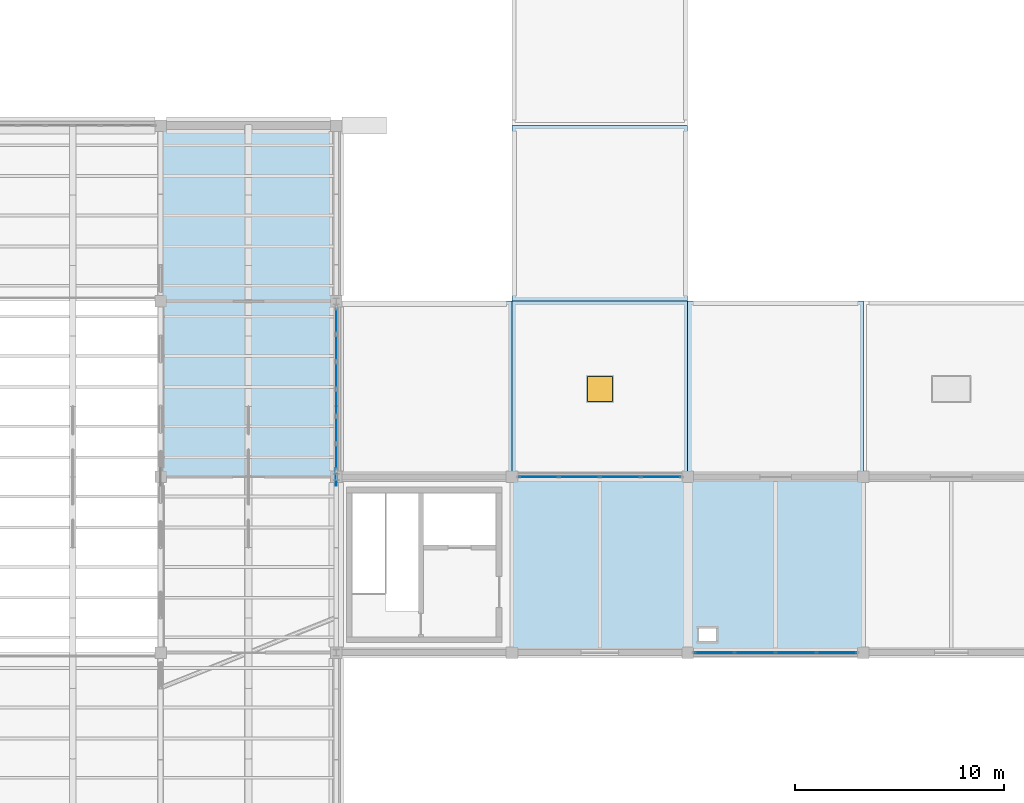
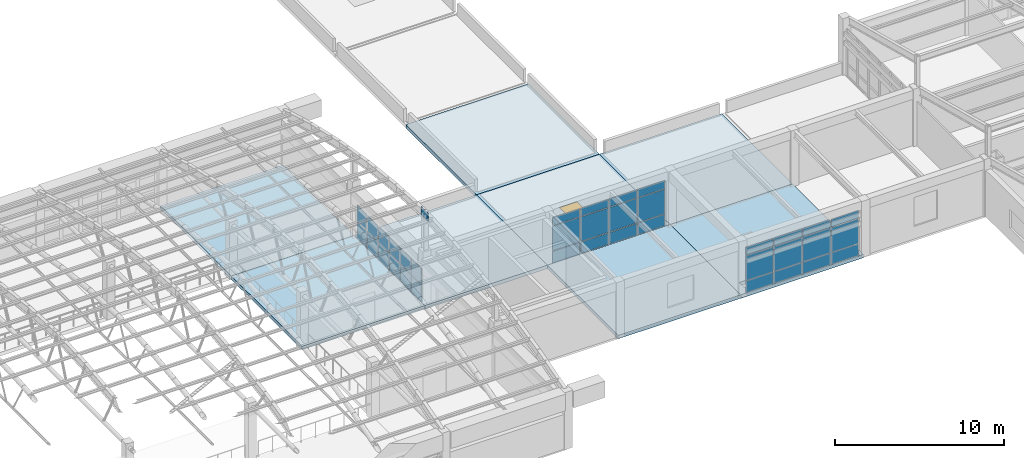
# One storey, part 50 of 74: 37 plates, 8 slabs, 1 window, 1 opening, 3 elements without a shape of their own.
"""IFC4 building model written with IfcOpenShell, lengths in metres."""

from ifc_helpers import new_model, si_unit, direction, frame, origin, origin_2d, place, context, subcontext, project, spatial, polyline, rectangle, outline, extrude, material, layer, layer_set, type_object, element, fill, aggregate, save


model = new_model("IFC4")

# Units and contexts
model_context = context("Model", 3, precision=1e-05, world=origin(), true_north=direction((0.0, 1.0)))
body_context = subcontext(model_context, "Body", "Model", "MODEL_VIEW")
ifc_project = project(units=[si_unit("LENGTHUNIT", "METRE"), si_unit("AREAUNIT", "SQUARE_METRE"), si_unit("VOLUMEUNIT", "CUBIC_METRE"), si_unit("PLANEANGLEUNIT", "RADIAN"), si_unit("MASSUNIT", "GRAM", prefix="KILO")], contexts=[model_context])

# Site, building, storey
site_placement = place(None, origin())
site = spatial("IfcSite", under=ifc_project, at=site_placement, CompositionType="ELEMENT")
building_placement = place(site_placement, origin())
building = spatial("IfcBuilding", under=site, at=building_placement, Name="Porcellanite Civic Hall", CompositionType="ELEMENT")
storey_placement = place(building_placement, frame((0.0, 0.0, 14.760009765625)))
storey = spatial("IfcBuildingStorey", under=building, at=storey_placement, Name="L03", CompositionType="ELEMENT", Elevation=14.760009765625)

# Curtain wall, plates
ifc_material_1 = material(Name="Anodised aluminium and solar laminated glass", Category="aluminium")
ifc_layer_1 = layer(ifc_material_1, 0.179931640625)
ifc_layer_set_1 = layer_set([ifc_layer_1], Name="Anodised aluminium and solar laminated glass")
curtain_wall_type_1 = type_object("IfcCurtainWallType", Name="CW-SYS01", PredefinedType="NOTDEFINED", material=ifc_layer_set_1)
curtain_wall_1_placement = place(storey_placement, origin())
curtain_wall_1 = element("IfcCurtainWall", 1, at=curtain_wall_1_placement, inside=storey, type_object=curtain_wall_type_1, Name="Curtain wall CW-213", PredefinedType="NOTDEFINED")
ifc_material_2 = material(Name="Cyclone laminated solar-control low-E glass", Category="glass")
ifc_layer_2 = layer(ifc_material_2, 0.02392578125)
ifc_layer_set_2 = layer_set([ifc_layer_2], Name="Cyclone laminated solar-control low-E glass")
plate_type_1 = type_object("IfcPlateType", Name="CWP-01", PredefinedType="CURTAIN_PANEL", material=ifc_layer_set_2)
plate_1_placement = place(storey_placement, frame((109.199951171875, 66.25, 0.06982421875), z_axis=(0.0, 0.0, 1.0), x_axis=(0.0, -1.0, 0.0)))
plate_1 = element("IfcPlate", 2, at=plate_1_placement, type_object=plate_type_1, Name="CW-213 panel 1.1", PredefinedType="CURTAIN_PANEL", context=body_context, shape_type="SweptSolid", body=[
    extrude(rectangle(XDim=1.18798828125, YDim=0.02392578125, at=origin_2d()), origin(), (0.0, 0.0, 1.0), 1.155029296875),
])
plate_2_placement = place(storey_placement, frame((109.199951171875, 66.25, 1.294921875), z_axis=(0.0, 0.0, 1.0), x_axis=(0.0, -1.0, 0.0)))
plate_2 = element("IfcPlate", 3, at=plate_2_placement, type_object=plate_type_1, Name="CW-213 panel 1.2", PredefinedType="CURTAIN_PANEL", context=body_context, shape_type="SweptSolid", body=[
    extrude(rectangle(XDim=1.18798828125, YDim=0.02392578125, at=origin_2d()), origin(), (0.0, 0.0, 1.0), 1.155029296875),
])
plate_3_placement = place(storey_placement, frame((109.199951171875, 64.9619140625, 0.06982421875), z_axis=(0.0, 0.0, 1.0), x_axis=(0.0, -1.0, 0.0)))
plate_3 = element("IfcPlate", 4, at=plate_3_placement, type_object=plate_type_1, Name="CW-213 panel 2.1", PredefinedType="CURTAIN_PANEL", context=body_context, shape_type="SweptSolid", body=[
    extrude(rectangle(XDim=1.22802734375, YDim=0.02392578125, at=origin_2d()), origin(), (0.0, 0.0, 1.0), 1.155029296875),
])
plate_4_placement = place(storey_placement, frame((109.199951171875, 64.9619140625, 1.294921875), z_axis=(0.0, 0.0, 1.0), x_axis=(0.0, -1.0, 0.0)))
plate_4 = element("IfcPlate", 5, at=plate_4_placement, type_object=plate_type_1, Name="CW-213 panel 2.2", PredefinedType="CURTAIN_PANEL", context=body_context, shape_type="SweptSolid", body=[
    extrude(rectangle(XDim=1.22802734375, YDim=0.02392578125, at=origin_2d()), origin(), (0.0, 0.0, 1.0), 1.155029296875),
])
plate_5_placement = place(storey_placement, frame((109.199951171875, 63.654052734375, 0.06982421875), z_axis=(0.0, 0.0, 1.0), x_axis=(0.0, -1.0, 0.0)))
plate_5 = element("IfcPlate", 6, at=plate_5_placement, type_object=plate_type_1, Name="CW-213 panel 3.1", PredefinedType="CURTAIN_PANEL", context=body_context, shape_type="SweptSolid", body=[
    extrude(rectangle(XDim=1.22802734375, YDim=0.02392578125, at=origin_2d()), origin(), (0.0, 0.0, 1.0), 1.155029296875),
])
plate_6_placement = place(storey_placement, frame((109.199951171875, 63.654052734375, 1.294921875), z_axis=(0.0, 0.0, 1.0), x_axis=(0.0, -1.0, 0.0)))
plate_6 = element("IfcPlate", 7, at=plate_6_placement, type_object=plate_type_1, Name="CW-213 panel 3.2", PredefinedType="CURTAIN_PANEL", context=body_context, shape_type="SweptSolid", body=[
    extrude(rectangle(XDim=1.22802734375, YDim=0.02392578125, at=origin_2d()), origin(), (0.0, 0.0, 1.0), 1.155029296875),
])
plate_7_placement = place(storey_placement, frame((109.199951171875, 62.345947265625, 0.06982421875), z_axis=(0.0, 0.0, 1.0), x_axis=(0.0, -1.0, 0.0)))
plate_7 = element("IfcPlate", 8, at=plate_7_placement, type_object=plate_type_1, Name="CW-213 panel 4.1", PredefinedType="CURTAIN_PANEL", context=body_context, shape_type="SweptSolid", body=[
    extrude(rectangle(XDim=1.22802734375, YDim=0.02392578125, at=origin_2d()), origin(), (0.0, 0.0, 1.0), 1.155029296875),
])
plate_8_placement = place(storey_placement, frame((109.199951171875, 62.345947265625, 1.294921875), z_axis=(0.0, 0.0, 1.0), x_axis=(0.0, -1.0, 0.0)))
plate_8 = element("IfcPlate", 9, at=plate_8_placement, type_object=plate_type_1, Name="CW-213 panel 4.2", PredefinedType="CURTAIN_PANEL", context=body_context, shape_type="SweptSolid", body=[
    extrude(rectangle(XDim=1.22802734375, YDim=0.02392578125, at=origin_2d()), origin(), (0.0, 0.0, 1.0), 1.155029296875),
])
plate_9_placement = place(storey_placement, frame((109.199951171875, 61.0380859375, 0.06982421875), z_axis=(0.0, 0.0, 1.0), x_axis=(0.0, -1.0, 0.0)))
plate_9 = element("IfcPlate", 10, at=plate_9_placement, type_object=plate_type_1, Name="CW-213 panel 5.1", PredefinedType="CURTAIN_PANEL", context=body_context, shape_type="SweptSolid", body=[
    extrude(rectangle(XDim=1.22802734375, YDim=0.02392578125, at=origin_2d()), origin(), (0.0, 0.0, 1.0), 1.155029296875),
])
plate_10_placement = place(storey_placement, frame((109.199951171875, 61.0380859375, 1.294921875), z_axis=(0.0, 0.0, 1.0), x_axis=(0.0, -1.0, 0.0)))
plate_10 = element("IfcPlate", 11, at=plate_10_placement, type_object=plate_type_1, Name="CW-213 panel 5.2", PredefinedType="CURTAIN_PANEL", context=body_context, shape_type="SweptSolid", body=[
    extrude(rectangle(XDim=1.22802734375, YDim=0.02392578125, at=origin_2d()), origin(), (0.0, 0.0, 1.0), 1.155029296875),
])
plate_11_placement = place(storey_placement, frame((109.199951171875, 59.75, 0.06982421875), z_axis=(0.0, 0.0, 1.0), x_axis=(0.0, -1.0, 0.0)))
plate_11 = element("IfcPlate", 12, at=plate_11_placement, type_object=plate_type_1, Name="CW-213 panel 6.1", PredefinedType="CURTAIN_PANEL", context=body_context, shape_type="SweptSolid", body=[
    extrude(rectangle(XDim=1.18798828125, YDim=0.02392578125, at=origin_2d()), origin(), (0.0, 0.0, 1.0), 1.155029296875),
])
plate_12_placement = place(storey_placement, frame((109.199951171875, 59.75, 1.294921875), z_axis=(0.0, 0.0, 1.0), x_axis=(0.0, -1.0, 0.0)))
plate_12 = element("IfcPlate", 13, at=plate_12_placement, type_object=plate_type_1, Name="CW-213 panel 6.2", PredefinedType="CURTAIN_PANEL", context=body_context, shape_type="SweptSolid", body=[
    extrude(rectangle(XDim=1.18798828125, YDim=0.02392578125, at=origin_2d()), origin(), (0.0, 0.0, 1.0), 1.155029296875),
])
aggregate(curtain_wall_1, [plate_1, plate_2, plate_3, plate_4, plate_5, plate_6, plate_7, plate_8, plate_9, plate_10, plate_11, plate_12])

ifc_material_3 = material(Name="Anodised aluminium and solar laminated glass", Category="aluminium")
ifc_layer_3 = layer(ifc_material_3, 0.179931640625)
ifc_layer_set_3 = layer_set([ifc_layer_3], Name="Anodised aluminium and solar laminated glass")
curtain_wall_type_2 = type_object("IfcCurtainWallType", Name="CW-SYS04", PredefinedType="NOTDEFINED", material=ifc_layer_set_3)
curtain_wall_2_placement = place(storey_placement, origin())
curtain_wall_2 = element("IfcCurtainWall", 14, at=curtain_wall_2_placement, inside=storey, type_object=curtain_wall_type_2, Name="Curtain wall CW-217", PredefinedType="NOTDEFINED")
ifc_material_4 = material(Name="Insulated ochre aluminium spandrel panel", Category="aluminium")
ifc_layer_4 = layer(ifc_material_4, 0.0380859375)
ifc_layer_set_4 = layer_set([ifc_layer_4], Name="Insulated ochre aluminium spandrel panel")
plate_type_2 = type_object("IfcPlateType", Name="CWP-08", PredefinedType="CURTAIN_PANEL", material=ifc_layer_set_4)
plate_13_placement = place(storey_placement, frame((118.875732421875, 58.800048828125, 0.054931640625), z_axis=(0.0, 0.0, 1.0), x_axis=(1.0, 0.0, 0.0)))
plate_13 = element("IfcPlate", 15, at=plate_13_placement, type_object=plate_type_2, Name="CW-217 panel 1.1", PredefinedType="CURTAIN_PANEL", context=body_context, shape_type="SweptSolid", body=[
    extrude(rectangle(XDim=1.849609375, YDim=0.0380859375, at=origin_2d()), origin(), (0.0, 0.0, 1.0), 0.8173828125),
])
plate_14_placement = place(storey_placement, frame((118.875732421875, 58.800048828125, 0.927734375), z_axis=(0.0, 0.0, 1.0), x_axis=(1.0, 0.0, 0.0)))
plate_14 = element("IfcPlate", 16, at=plate_14_placement, type_object=plate_type_2, Name="CW-217 panel 1.2", PredefinedType="CURTAIN_PANEL", context=body_context, shape_type="SweptSolid", body=[
    extrude(rectangle(XDim=1.849609375, YDim=0.0380859375, at=origin_2d()), origin(), (0.0, 0.0, 1.0), 1.764892578125),
])
plate_15_placement = place(storey_placement, frame((118.875732421875, 58.800048828125, 2.74755859375), z_axis=(0.0, 0.0, 1.0), x_axis=(1.0, 0.0, 0.0)))
plate_15 = element("IfcPlate", 17, at=plate_15_placement, type_object=plate_type_2, Name="CW-217 panel 1.3", PredefinedType="CURTAIN_PANEL", context=body_context, shape_type="SweptSolid", body=[
    extrude(rectangle(XDim=1.849609375, YDim=0.0380859375, at=origin_2d()), origin(), (0.0, 0.0, 1.0), 0.5673828125),
])
plate_16_placement = place(storey_placement, frame((120.819091796875, 58.800048828125, 0.054931640625), z_axis=(0.0, 0.0, 1.0), x_axis=(1.0, 0.0, 0.0)))
plate_16 = element("IfcPlate", 18, at=plate_16_placement, type_object=plate_type_2, Name="CW-217 panel 2.1", PredefinedType="CURTAIN_PANEL", context=body_context, shape_type="SweptSolid", body=[
    extrude(rectangle(XDim=1.886962890625, YDim=0.0380859375, at=origin_2d()), origin(), (0.0, 0.0, 1.0), 0.8173828125),
])
plate_17_placement = place(storey_placement, frame((120.819091796875, 58.800048828125, 0.927734375), z_axis=(0.0, 0.0, 1.0), x_axis=(1.0, 0.0, 0.0)))
plate_17 = element("IfcPlate", 19, at=plate_17_placement, type_object=plate_type_2, Name="CW-217 panel 2.2", PredefinedType="CURTAIN_PANEL", context=body_context, shape_type="SweptSolid", body=[
    extrude(rectangle(XDim=1.886962890625, YDim=0.0380859375, at=origin_2d()), origin(), (0.0, 0.0, 1.0), 1.764892578125),
])
plate_18_placement = place(storey_placement, frame((120.819091796875, 58.800048828125, 2.74755859375), z_axis=(0.0, 0.0, 1.0), x_axis=(1.0, 0.0, 0.0)))
plate_18 = element("IfcPlate", 20, at=plate_18_placement, type_object=plate_type_2, Name="CW-217 panel 2.3", PredefinedType="CURTAIN_PANEL", context=body_context, shape_type="SweptSolid", body=[
    extrude(rectangle(XDim=1.886962890625, YDim=0.0380859375, at=origin_2d()), origin(), (0.0, 0.0, 1.0), 0.5673828125),
])
plate_19_placement = place(storey_placement, frame((122.781005859375, 58.800048828125, 0.054931640625), z_axis=(0.0, 0.0, 1.0), x_axis=(1.0, 0.0, 0.0)))
plate_19 = element("IfcPlate", 21, at=plate_19_placement, type_object=plate_type_2, Name="CW-217 panel 3.1", PredefinedType="CURTAIN_PANEL", context=body_context, shape_type="SweptSolid", body=[
    extrude(rectangle(XDim=1.886962890625, YDim=0.0380859375, at=origin_2d()), origin(), (0.0, 0.0, 1.0), 0.8173828125),
])
plate_20_placement = place(storey_placement, frame((122.781005859375, 58.800048828125, 0.927734375), z_axis=(0.0, 0.0, 1.0), x_axis=(1.0, 0.0, 0.0)))
plate_20 = element("IfcPlate", 22, at=plate_20_placement, type_object=plate_type_2, Name="CW-217 panel 3.2", PredefinedType="CURTAIN_PANEL", context=body_context, shape_type="SweptSolid", body=[
    extrude(rectangle(XDim=1.886962890625, YDim=0.0380859375, at=origin_2d()), origin(), (0.0, 0.0, 1.0), 1.764892578125),
])
plate_21_placement = place(storey_placement, frame((122.781005859375, 58.800048828125, 2.74755859375), z_axis=(0.0, 0.0, 1.0), x_axis=(1.0, 0.0, 0.0)))
plate_21 = element("IfcPlate", 23, at=plate_21_placement, type_object=plate_type_2, Name="CW-217 panel 3.3", PredefinedType="CURTAIN_PANEL", context=body_context, shape_type="SweptSolid", body=[
    extrude(rectangle(XDim=1.886962890625, YDim=0.0380859375, at=origin_2d()), origin(), (0.0, 0.0, 1.0), 0.5673828125),
])
plate_22_placement = place(storey_placement, frame((124.724365234375, 58.800048828125, 0.054931640625), z_axis=(0.0, 0.0, 1.0), x_axis=(1.0, 0.0, 0.0)))
plate_22 = element("IfcPlate", 24, at=plate_22_placement, type_object=plate_type_2, Name="CW-217 panel 4.1", PredefinedType="CURTAIN_PANEL", context=body_context, shape_type="SweptSolid", body=[
    extrude(rectangle(XDim=1.849609375, YDim=0.0380859375, at=origin_2d()), origin(), (0.0, 0.0, 1.0), 0.8173828125),
])
plate_23_placement = place(storey_placement, frame((124.724365234375, 58.800048828125, 0.927734375), z_axis=(0.0, 0.0, 1.0), x_axis=(1.0, 0.0, 0.0)))
plate_23 = element("IfcPlate", 25, at=plate_23_placement, type_object=plate_type_2, Name="CW-217 panel 4.2", PredefinedType="CURTAIN_PANEL", context=body_context, shape_type="SweptSolid", body=[
    extrude(rectangle(XDim=1.849609375, YDim=0.0380859375, at=origin_2d()), origin(), (0.0, 0.0, 1.0), 1.764892578125),
])
plate_24_placement = place(storey_placement, frame((124.724365234375, 58.800048828125, 2.74755859375), z_axis=(0.0, 0.0, 1.0), x_axis=(1.0, 0.0, 0.0)))
plate_24 = element("IfcPlate", 26, at=plate_24_placement, type_object=plate_type_2, Name="CW-217 panel 4.3", PredefinedType="CURTAIN_PANEL", context=body_context, shape_type="SweptSolid", body=[
    extrude(rectangle(XDim=1.849609375, YDim=0.0380859375, at=origin_2d()), origin(), (0.0, 0.0, 1.0), 0.5673828125),
])
aggregate(curtain_wall_2, [plate_13, plate_14, plate_15, plate_16, plate_17, plate_18, plate_19, plate_20, plate_21, plate_22, plate_23, plate_24])

ifc_material_5 = material(Name="Anodised aluminium and solar laminated glass", Category="aluminium")
ifc_layer_5 = layer(ifc_material_5, 0.179931640625)
ifc_layer_set_5 = layer_set([ifc_layer_5], Name="Anodised aluminium and solar laminated glass")
curtain_wall_type_3 = type_object("IfcCurtainWallType", Name="CW-SYS06", PredefinedType="NOTDEFINED", material=ifc_layer_set_5)
curtain_wall_3_placement = place(storey_placement, origin())
curtain_wall_3 = element("IfcCurtainWall", 27, at=curtain_wall_3_placement, inside=storey, type_object=curtain_wall_type_3, Name="Curtain wall CW-218", PredefinedType="NOTDEFINED")
ifc_material_6 = material(Name="Insulated ochre aluminium spandrel panel", Category="aluminium")
ifc_layer_6 = layer(ifc_material_6, 0.0419921875)
ifc_layer_set_6 = layer_set([ifc_layer_6], Name="Insulated ochre aluminium spandrel panel")
plate_type_3 = type_object("IfcPlateType", Name="CWP-09", PredefinedType="CURTAIN_PANEL", material=ifc_layer_set_6)
plate_25_placement = place(storey_placement, frame((133.126708984375, 50.39990234375, 0.0498046875), z_axis=(0.0, 0.0, 1.0), x_axis=(-1.0, 0.0, 0.0)))
plate_25 = element("IfcPlate", 28, at=plate_25_placement, type_object=plate_type_3, Name="CW-218 panel 1.1", PredefinedType="CURTAIN_PANEL", context=body_context, shape_type="SweptSolid", body=[
    extrude(rectangle(XDim=1.864501953125, YDim=0.0419921875, at=origin_2d()), origin(), (0.0, 0.0, 1.0), 0.824951171875),
])
plate_26_placement = place(storey_placement, frame((133.126708984375, 50.39990234375, 0.925048828125), z_axis=(0.0, 0.0, 1.0), x_axis=(-1.0, 0.0, 0.0)))
plate_26 = element("IfcPlate", 29, at=plate_26_placement, type_object=plate_type_3, Name="CW-218 panel 1.2", PredefinedType="CURTAIN_PANEL", context=body_context, shape_type="SweptSolid", body=[
    extrude(rectangle(XDim=1.864501953125, YDim=0.0419921875, at=origin_2d()), origin(), (0.0, 0.0, 1.0), 1.77001953125),
])
plate_27_placement = place(storey_placement, frame((133.126708984375, 50.39990234375, 2.7451171875), z_axis=(0.0, 0.0, 1.0), x_axis=(-1.0, 0.0, 0.0)))
plate_27 = element("IfcPlate", 30, at=plate_27_placement, type_object=plate_type_3, Name="CW-218 panel 1.3", PredefinedType="CURTAIN_PANEL", context=body_context, shape_type="SweptSolid", body=[
    extrude(rectangle(XDim=1.864501953125, YDim=0.0419921875, at=origin_2d()), origin(), (0.0, 0.0, 1.0), 0.574951171875),
])
plate_28_placement = place(storey_placement, frame((131.180908203125, 50.39990234375, 0.0498046875), z_axis=(0.0, 0.0, 1.0), x_axis=(-1.0, 0.0, 0.0)))
plate_28 = element("IfcPlate", 31, at=plate_28_placement, type_object=plate_type_3, Name="CW-218 panel 2.1", PredefinedType="CURTAIN_PANEL", context=body_context, shape_type="SweptSolid", body=[
    extrude(rectangle(XDim=1.89697265625, YDim=0.0419921875, at=origin_2d()), origin(), (0.0, 0.0, 1.0), 0.824951171875),
])
plate_29_placement = place(storey_placement, frame((131.180908203125, 50.39990234375, 0.925048828125), z_axis=(0.0, 0.0, 1.0), x_axis=(-1.0, 0.0, 0.0)))
plate_29 = element("IfcPlate", 32, at=plate_29_placement, type_object=plate_type_3, Name="CW-218 panel 2.2", PredefinedType="CURTAIN_PANEL", context=body_context, shape_type="SweptSolid", body=[
    extrude(rectangle(XDim=1.89697265625, YDim=0.0419921875, at=origin_2d()), origin(), (0.0, 0.0, 1.0), 1.77001953125),
])
plate_30_placement = place(storey_placement, frame((131.180908203125, 50.39990234375, 2.7451171875), z_axis=(0.0, 0.0, 1.0), x_axis=(-1.0, 0.0, 0.0)))
plate_30 = element("IfcPlate", 33, at=plate_30_placement, type_object=plate_type_3, Name="CW-218 panel 2.3", PredefinedType="CURTAIN_PANEL", context=body_context, shape_type="SweptSolid", body=[
    extrude(rectangle(XDim=1.89697265625, YDim=0.0419921875, at=origin_2d()), origin(), (0.0, 0.0, 1.0), 0.574951171875),
])
plate_31_placement = place(storey_placement, frame((129.218994140625, 50.39990234375, 0.0498046875), z_axis=(0.0, 0.0, 1.0), x_axis=(-1.0, 0.0, 0.0)))
plate_31 = element("IfcPlate", 34, at=plate_31_placement, type_object=plate_type_3, Name="CW-218 panel 3.1", PredefinedType="CURTAIN_PANEL", context=body_context, shape_type="SweptSolid", body=[
    extrude(rectangle(XDim=1.89697265625, YDim=0.0419921875, at=origin_2d()), origin(), (0.0, 0.0, 1.0), 0.824951171875),
])
plate_32_placement = place(storey_placement, frame((129.218994140625, 50.39990234375, 0.925048828125), z_axis=(0.0, 0.0, 1.0), x_axis=(-1.0, 0.0, 0.0)))
plate_32 = element("IfcPlate", 35, at=plate_32_placement, type_object=plate_type_3, Name="CW-218 panel 3.2", PredefinedType="CURTAIN_PANEL", context=body_context, shape_type="SweptSolid", body=[
    extrude(rectangle(XDim=1.89697265625, YDim=0.0419921875, at=origin_2d()), origin(), (0.0, 0.0, 1.0), 1.77001953125),
])
plate_33_placement = place(storey_placement, frame((129.218994140625, 50.39990234375, 2.7451171875), z_axis=(0.0, 0.0, 1.0), x_axis=(-1.0, 0.0, 0.0)))
plate_33 = element("IfcPlate", 36, at=plate_33_placement, type_object=plate_type_3, Name="CW-218 panel 3.3", PredefinedType="CURTAIN_PANEL", context=body_context, shape_type="SweptSolid", body=[
    extrude(rectangle(XDim=1.89697265625, YDim=0.0419921875, at=origin_2d()), origin(), (0.0, 0.0, 1.0), 0.574951171875),
])
plate_34_placement = place(storey_placement, frame((127.273193359375, 50.39990234375, 0.0498046875), z_axis=(0.0, 0.0, 1.0), x_axis=(-1.0, 0.0, 0.0)))
plate_34 = element("IfcPlate", 37, at=plate_34_placement, type_object=plate_type_3, Name="CW-218 panel 4.1", PredefinedType="CURTAIN_PANEL", context=body_context, shape_type="SweptSolid", body=[
    extrude(rectangle(XDim=1.864501953125, YDim=0.0419921875, at=origin_2d()), origin(), (0.0, 0.0, 1.0), 0.824951171875),
])
plate_35_placement = place(storey_placement, frame((127.273193359375, 50.39990234375, 0.925048828125), z_axis=(0.0, 0.0, 1.0), x_axis=(-1.0, 0.0, 0.0)))
plate_35 = element("IfcPlate", 38, at=plate_35_placement, type_object=plate_type_3, Name="CW-218 panel 4.2", PredefinedType="CURTAIN_PANEL", context=body_context, shape_type="SweptSolid", body=[
    extrude(rectangle(XDim=1.864501953125, YDim=0.0419921875, at=origin_2d()), origin(), (0.0, 0.0, 1.0), 1.77001953125),
])
plate_36_placement = place(storey_placement, frame((127.273193359375, 50.39990234375, 2.7451171875), z_axis=(0.0, 0.0, 1.0), x_axis=(-1.0, 0.0, 0.0)))
plate_36 = element("IfcPlate", 39, at=plate_36_placement, type_object=plate_type_3, Name="CW-218 panel 4.3", PredefinedType="CURTAIN_PANEL", context=body_context, shape_type="SweptSolid", body=[
    extrude(rectangle(XDim=1.864501953125, YDim=0.0419921875, at=origin_2d()), origin(), (0.0, 0.0, 1.0), 0.574951171875),
])
aggregate(curtain_wall_3, [plate_25, plate_26, plate_27, plate_28, plate_29, plate_30, plate_31, plate_32, plate_33, plate_34, plate_35, plate_36])

# Plate
ifc_material_7 = material(Name="Steel Grade 350", Category="steel")
ifc_layer_7 = layer(ifc_material_7, 0.031982421875)
ifc_layer_set_7 = layer_set([ifc_layer_7], Name="Steel Grade 350")
plate_type_4 = type_object("IfcPlateType", Name="PL-GUS4", PredefinedType="SHEET", material=ifc_layer_set_7)
plate_37_placement = place(storey_placement, frame((109.199951171875, 58.800048828125, 6.357666015625), z_axis=(0.0, 0.0, 1.0), x_axis=(1.0, 0.0, 0.0)))
element("IfcPlate", 40, at=plate_37_placement, inside=storey, type_object=plate_type_4, Name="Chamber arch crown plate 13", PredefinedType="SHEET", context=body_context, shape_type="SweptSolid", body=[
    extrude(rectangle(XDim=0.031982421875, YDim=0.85009765625, at=origin_2d()), origin(), (0.0, 0.0, 1.0), 0.580078125),
])

# Slabs
ifc_material_8 = material(Name="Concrete N40 (40 MPa)", Category="concrete")
ifc_layer_8 = layer(ifc_material_8, 0.25)
ifc_layer_set_8 = layer_set([ifc_layer_8], Name="Concrete N40 (40 MPa)")
slab_type_1 = type_object("IfcSlabType", Name="SL-FL250", PredefinedType="FLOOR", material=ifc_layer_set_8)
slab_1_placement = place(storey_placement, frame((0.0, 0.0, -0.25)))
element("IfcSlab", 41, at=slab_1_placement, inside=storey, type_object=slab_type_1, Name="Slab L03 bay 13-8", PredefinedType="FLOOR", context=body_context, shape_type="SweptSolid", body=[
    extrude(outline(polyline([(100.800048828125, 58.800048828125), (109.199951171875, 58.800048828125), (109.199951171875, 67.199951171875), (100.800048828125, 67.199951171875), (100.800048828125, 58.800048828125)])), origin(), (0.0, 0.0, 1.0), 0.25),
])
slab_2_placement = place(storey_placement, frame((0.0, 0.0, -0.25)))
element("IfcSlab", 42, at=slab_2_placement, inside=storey, type_object=slab_type_1, Name="Slab L03 bay 13-9", PredefinedType="FLOOR", context=body_context, shape_type="SweptSolid", body=[
    extrude(outline(polyline([(100.800048828125, 67.199951171875), (109.199951171875, 67.199951171875), (109.199951171875, 75.60009765625), (100.800048828125, 75.60009765625), (100.800048828125, 67.199951171875)])), origin(), (0.0, 0.0, 1.0), 0.25),
])
slab_3_placement = place(storey_placement, frame((0.0, 0.0, -0.25)))
element("IfcSlab", 43, at=slab_3_placement, inside=storey, type_object=slab_type_1, Name="Slab L03 bay 15-7", PredefinedType="FLOOR", context=body_context, shape_type="SweptSolid", body=[
    extrude(outline(polyline([(117.60009765625, 50.39990234375), (126.0, 50.39990234375), (126.0, 58.800048828125), (117.60009765625, 58.800048828125), (117.60009765625, 50.39990234375)])), origin(), (0.0, 0.0, 1.0), 0.25),
])
ifc_material_9 = material(Name="Concrete N40 (40 MPa)", Category="concrete")
ifc_layer_9 = layer(ifc_material_9, 0.260009765625)
ifc_layer_set_9 = layer_set([ifc_layer_9], Name="Concrete N40 (40 MPa)")
slab_type_2 = type_object("IfcSlabType", Name="SL-FL260", PredefinedType="FLOOR", material=ifc_layer_set_9)
slab_4_placement = place(storey_placement, frame((0.0, 0.0, -0.260009765625)))
element("IfcSlab", 44, at=slab_4_placement, inside=storey, type_object=slab_type_2, Name="Slab L03 bay 16-7", PredefinedType="FLOOR", context=body_context, shape_type="SweptSolid", body=[
    extrude(outline(polyline([(126.0, 50.39990234375), (134.39990234375, 50.39990234375), (134.39990234375, 58.800048828125), (126.0, 58.800048828125), (126.0, 50.39990234375)]), holes=[polyline([(126.550048828125, 50.949951171875), (127.35009765625, 50.949951171875), (127.35009765625, 51.550048828125), (126.550048828125, 51.550048828125), (126.550048828125, 50.949951171875)])]), origin(), (0.0, 0.0, 1.0), 0.260009765625),
])
ifc_material_10 = material(Name="Concrete N40 (40 MPa)", Category="concrete")
ifc_layer_10 = layer(ifc_material_10, 0.260009765625)
ifc_layer_set_10 = layer_set([ifc_layer_10], Name="Concrete N40 (40 MPa)")
slab_type_3 = type_object("IfcSlabType", Name="SL-RF260", PredefinedType="ROOF", material=ifc_layer_set_10)
slab_5_placement = place(storey_placement, frame((0.0, 0.0, -0.260009765625)))
element("IfcSlab", 45, at=slab_5_placement, inside=storey, type_object=slab_type_3, Name="Roof slab L03 14-8", PredefinedType="ROOF", context=body_context, shape_type="SweptSolid", body=[
    extrude(outline(polyline([(109.199951171875, 58.800048828125), (117.60009765625, 58.800048828125), (117.60009765625, 67.199951171875), (109.199951171875, 67.199951171875), (109.199951171875, 58.800048828125)])), origin(), (0.0, 0.0, 1.0), 0.260009765625),
])

# Slab, opening, window
slab_6_placement = place(storey_placement, frame((0.0, 0.0, -0.260009765625)))
slab_6 = element("IfcSlab", 46, at=slab_6_placement, inside=storey, type_object=slab_type_3, Name="Roof slab L03 15-8", PredefinedType="ROOF", context=body_context, shape_type="SweptSolid", body=[
    extrude(outline(polyline([(117.60009765625, 58.800048828125), (126.0, 58.800048828125), (126.0, 67.199951171875), (117.60009765625, 67.199951171875), (117.60009765625, 58.800048828125)])), origin(), (0.0, 0.0, 1.0), 0.260009765625),
])
opening_placement = place(slab_6_placement, frame((121.800048828125, 63.0, 0.0)))
opening = element("IfcOpeningElement", 47, at=opening_placement, cuts=slab_6, Name="Opening SK1", PredefinedType="OPENING", context=body_context, shape_type="SweptSolid", body=[
    extrude(rectangle(XDim=1.199951171875, YDim=1.199951171875, at=origin_2d()), origin(), (0.0, 0.0, 1.0), 0.260009765625),
])
ifc_material_11 = material(Name="Cyclone laminated low-E glazing in anodised aluminium frame", Category="aluminium")
window_type = type_object("IfcWindowType", Name="SK-01", PartitioningType="SINGLE_PANEL", PredefinedType="SKYLIGHT", material=ifc_material_11)
window_placement = place(opening_placement, frame((0.0, 0.0, 0.2099609375)))
window = element("IfcWindow", 48, at=window_placement, inside=storey, type_object=window_type, Name="Roof skylight SK1 L03 15-8", OverallHeight=1.199951171875, OverallWidth=1.199951171875, PartitioningType="SINGLE_PANEL", PredefinedType="SKYLIGHT", context=body_context, shape_type="SweptSolid", body=[
    extrude(rectangle(XDim=1.199951171875, YDim=1.199951171875, at=origin_2d()), origin(), (0.0, 0.0, 1.0), 0.050048828125),
])
fill(opening, window)

# Slabs
slab_7_placement = place(storey_placement, frame((0.0, 0.0, -0.260009765625)))
element("IfcSlab", 49, at=slab_7_placement, inside=storey, type_object=slab_type_3, Name="Roof slab L03 15-9", PredefinedType="ROOF", context=body_context, shape_type="SweptSolid", body=[
    extrude(outline(polyline([(117.60009765625, 67.199951171875), (126.0, 67.199951171875), (126.0, 75.60009765625), (117.60009765625, 75.60009765625), (117.60009765625, 67.199951171875)])), origin(), (0.0, 0.0, 1.0), 0.260009765625),
])
slab_8_placement = place(storey_placement, frame((0.0, 0.0, -0.260009765625)))
element("IfcSlab", 50, at=slab_8_placement, inside=storey, type_object=slab_type_3, Name="Roof slab L03 16-8", PredefinedType="ROOF", context=body_context, shape_type="SweptSolid", body=[
    extrude(outline(polyline([(126.0, 58.800048828125), (134.39990234375, 58.800048828125), (134.39990234375, 67.199951171875), (126.0, 67.199951171875), (126.0, 58.800048828125)])), origin(), (0.0, 0.0, 1.0), 0.260009765625),
])

save(model, "model.ifc")
